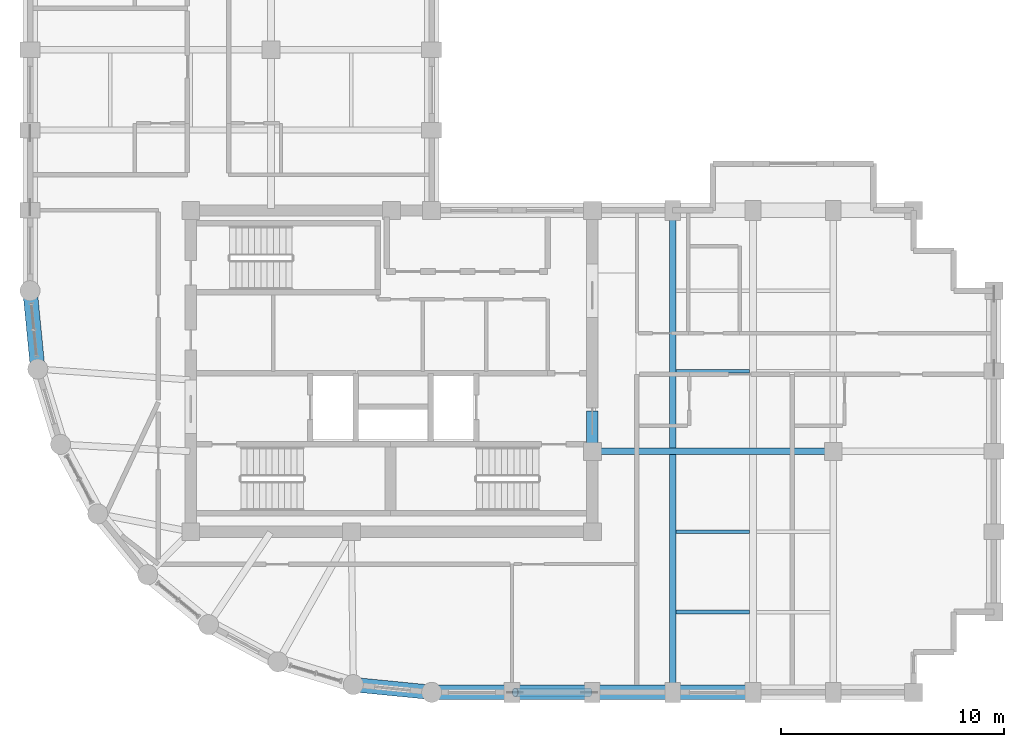
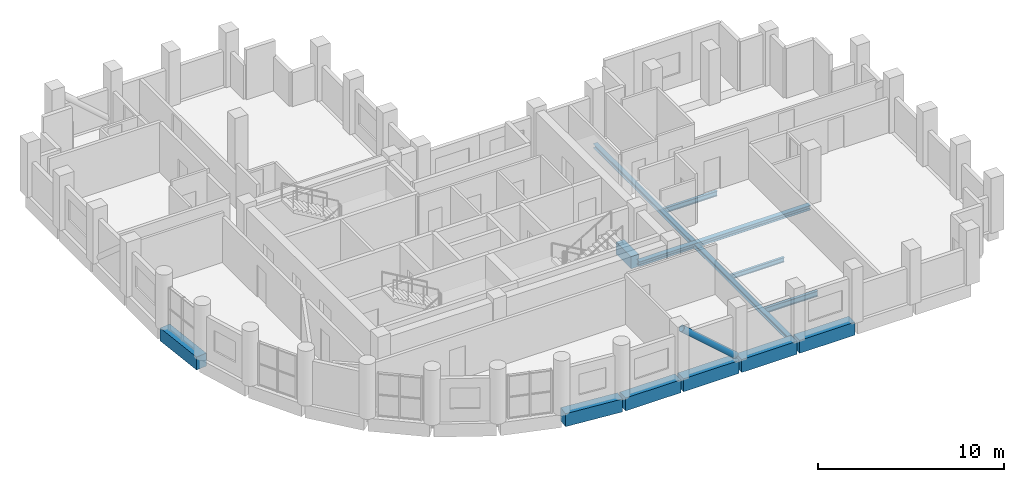
# One storey, part 4 of 11: 12 beams, 1 member.
"""IFC4 building model written with IfcOpenShell, lengths in metres."""

import ifcopenshell
import ifcopenshell.guid

model = None  # the IFC model being written
_history = None  # IfcOwnerHistory: only IFC2X3 demands one
_inside = {}  # id of a spatial element -> (the spatial element, [elements in it])
_under = {}  # id of a project, library or spatial element -> (it, [spatial elements below it])
_declared = {}  # id of a project -> (the project, [libraries it declares])
_typed = {}  # id of a type object -> (the type object, [elements of that type])
_made_of = {}  # id of a material, layer set ... -> (it, [elements and type objects made of it])


def new_model(schema):
    """Start an empty IFC model of exactly this schema.

    Asked for "IFC4X3", IfcOpenShell would pick the latest addendum, in which some entities
    have other attributes; the version numbers below select the first issue.
    IFC2X3 requires an IfcOwnerHistory on every rooted entity: one is made here for all.
    """
    global model, _history
    if schema == "IFC4X3":
        model = ifcopenshell.file(schema_version=(4, 3, 0, 0))
    else:
        model = ifcopenshell.file(schema=schema)
    _inside.clear()
    _under.clear()
    _declared.clear()
    _typed.clear()
    _made_of.clear()
    _history = None
    if model.schema == "IFC2X3":
        org = make("IfcOrganization", Name="unknown")
        user = make(
            "IfcPersonAndOrganization",
            ThePerson=make("IfcPerson", FamilyName="unknown"),
            TheOrganization=org,
        )
        app = make(
            "IfcApplication",
            ApplicationDeveloper=org,
            Version="unknown",
            ApplicationFullName="unknown",
            ApplicationIdentifier="unknown",
        )
        _history = make(
            "IfcOwnerHistory",
            OwningUser=user,
            OwningApplication=app,
            ChangeAction="ADDED",
            CreationDate=0,
        )
    return model


def make(cls, **values):
    """One entity of the class cls with the attributes given. An attribute that is None is left unset."""
    return model.create_entity(
        cls, **{name: value for name, value in values.items() if value is not None}
    )


def rooted(cls, **values):
    """An entity with a GlobalId (a new one), such as an element, a storey or a relation."""
    return make(cls, GlobalId=ifcopenshell.guid.new(), OwnerHistory=_history, **values)


def si_unit(unit_type, name, prefix=None):
    """IfcSIUnit, for example si_unit("LENGTHUNIT", "METRE", prefix="MILLI")."""
    return make("IfcSIUnit", UnitType=unit_type, Prefix=prefix, Name=name)


def assignment(units):
    """IfcUnitAssignment: the units of a project."""
    return None if units is None else make("IfcUnitAssignment", Units=units)


def point(xyz):
    """IfcCartesianPoint."""
    return None if xyz is None else make("IfcCartesianPoint", Coordinates=xyz)


def direction(xyz):
    """IfcDirection."""
    return None if xyz is None else make("IfcDirection", DirectionRatios=xyz)


def frame(location, z_axis=None, x_axis=None):
    """IfcAxis2Placement3D, a coordinate frame: its origin and axes. An axis left out is left unset."""
    return make(
        "IfcAxis2Placement3D",
        Location=point(location),
        Axis=direction(z_axis),
        RefDirection=direction(x_axis),
    )


def frame_2d(location, x_axis=None):
    """IfcAxis2Placement2D, a coordinate frame in the plane: its origin and x axis."""
    return make(
        "IfcAxis2Placement2D", Location=point(location), RefDirection=direction(x_axis)
    )


def origin():
    """The frame at (0, 0, 0) with its axes left unset."""
    return frame((0.0, 0.0, 0.0))


def origin_2d():
    """The frame at (0, 0) in the plane with its x axis left unset."""
    return frame_2d((0.0, 0.0))


def place(relative_to, where):
    """IfcLocalPlacement: puts the frame where relative to a parent placement (None: the world)."""
    return make(
        "IfcLocalPlacement", PlacementRelTo=relative_to, RelativePlacement=where
    )


def context(
    kind, dimensions, precision=None, world=None, true_north=None, identifier=None
):
    """IfcGeometricRepresentationContext, for example the 3D "Model" context."""
    return make(
        "IfcGeometricRepresentationContext",
        ContextIdentifier=identifier,
        ContextType=kind,
        CoordinateSpaceDimension=dimensions,
        Precision=precision,
        WorldCoordinateSystem=world,
        TrueNorth=true_north,
    )


def subcontext(parent, identifier, kind, view, scale=None):
    """IfcGeometricRepresentationSubContext, for example "Body" below "Model"."""
    return make(
        "IfcGeometricRepresentationSubContext",
        ContextIdentifier=identifier,
        ContextType=kind,
        ParentContext=parent,
        TargetScale=scale,
        TargetView=view,
    )


def project(units=None, contexts=None):
    """IfcProject with its units and contexts."""
    return rooted(
        "IfcProject",
        Name="project",
        RepresentationContexts=contexts,
        UnitsInContext=assignment(units),
    )


def spatial(cls, under=None, at=None, **own):
    """A site, building, storey or space (cls), placed at a placement, below another one or the project."""
    s = rooted(cls, ObjectPlacement=at, **own)
    if under is not None:
        _under.setdefault(under.id(), (under, []))[1].append(s)
    return s


def profile(cls, at=None, kind="AREA", **sizes):
    """A parametric profile (cls). Its sizes go by their IFC names, for example OverallWidth=200.0."""
    return make(cls, ProfileType=kind, Position=at, **sizes)


def rectangle(**sizes):
    """IfcRectangleProfileDef."""
    return profile("IfcRectangleProfileDef", **sizes)


def hollow_circle(**sizes):
    """IfcCircleHollowProfileDef."""
    return profile("IfcCircleHollowProfileDef", **sizes)


def i_section(**sizes):
    """IfcIShapeProfileDef."""
    return profile("IfcIShapeProfileDef", **sizes)


def extrude(swept, where, along, depth):
    """IfcExtrudedAreaSolid: the profile swept, set in the frame where, extruded along a direction by depth."""
    return make(
        "IfcExtrudedAreaSolid",
        SweptArea=swept,
        Position=where,
        ExtrudedDirection=direction(along),
        Depth=depth,
    )


def shape(context_of_items, identifier, shape_type, items):
    """IfcShapeRepresentation: the items that make up one representation, for example the "Body"."""
    return make(
        "IfcShapeRepresentation",
        ContextOfItems=context_of_items,
        RepresentationIdentifier=identifier,
        RepresentationType=shape_type,
        Items=items,
    )


def material(Name=None, Category=None):
    """IfcMaterial."""
    return make("IfcMaterial", Name=Name, Category=Category)


def material_profile(
    of_material, cross_section, Name=None, Category=None, Priority=None
):
    """IfcMaterialProfile: a cross section and its material."""
    return make(
        "IfcMaterialProfile",
        Name=Name,
        Material=of_material,
        Profile=cross_section,
        Priority=Priority,
        Category=Category,
    )


def profile_set(profiles, Name=None, composite=None):
    """IfcMaterialProfileSet."""
    return make(
        "IfcMaterialProfileSet",
        Name=Name,
        MaterialProfiles=profiles,
        CompositeProfile=composite,
    )


def made_of(thing, what):
    """Note that an element or type object is made of a material, layer set ...; save() writes the relation."""
    if what is not None:
        _made_of.setdefault(what.id(), (what, []))[1].append(thing)
    return thing


def type_object(cls, material=None, **own):
    """A type object (cls), such as IfcWallType, which elements share."""
    return made_of(rooted(cls, **own), material)


def element(
    cls,
    number,
    at=None,
    inside=None,
    cuts=None,
    type_object=None,
    material=None,
    context=None,
    identifier="Body",
    shape_type=None,
    held_by="IfcProductDefinitionShape",
    body=None,
    shapes=None,
    **own,
):
    """One element of the class cls, such as IfcWall. Its Tag is "e" and its number.

    at: its placement. inside: the storey or other place that contains it. cuts: it is an
    opening in that element (IfcRelVoidsElement). A single representation is given by context,
    identifier, shape_type and body (its items); several are given by shapes. held_by: the class
    of the entity that holds the representations. save() writes the other relations.
    """
    e = rooted(cls, Tag="e%d" % number, ObjectPlacement=at, **own)
    if body is not None:
        shapes = [shape(context, identifier, shape_type, body)]
    if shapes is not None:
        e.Representation = make(held_by, Representations=shapes)
    if inside is not None:
        _inside.setdefault(inside.id(), (inside, []))[1].append(e)
    if cuts is not None:
        rooted(
            "IfcRelVoidsElement", RelatingBuildingElement=cuts, RelatedOpeningElement=e
        )
    if type_object is not None:
        _typed.setdefault(type_object.id(), (type_object, []))[1].append(e)
    return made_of(e, material)


def aggregate(whole, parts):
    """IfcRelAggregates: a whole, such as a stair, and the parts it consists of."""
    return rooted("IfcRelAggregates", RelatingObject=whole, RelatedObjects=parts)


def save(model, path):
    """Write the relations noted so far, then the file.

    IfcRelAggregates (storeys below a building ...), IfcRelContainedInSpatialStructure (elements
    in a storey), IfcRelDefinesByType, IfcRelAssociatesMaterial and IfcRelDeclares: one each for
    every whole, place, type object, material and project.
    """
    for whole, parts in _under.values():
        aggregate(whole, parts)
    for where, things in _inside.values():
        rooted(
            "IfcRelContainedInSpatialStructure",
            RelatedElements=things,
            RelatingStructure=where,
        )
    for kind, things in _typed.values():
        rooted("IfcRelDefinesByType", RelatedObjects=things, RelatingType=kind)
    for what, things in _made_of.values():
        rooted("IfcRelAssociatesMaterial", RelatedObjects=things, RelatingMaterial=what)
    for by, libraries in _declared.values():
        rooted("IfcRelDeclares", RelatingContext=by, RelatedDefinitions=libraries)
    model.write(path)


model = new_model("IFC4")

# Units and contexts
model_context = context("Model", 3, precision=1e-05, world=origin(), true_north=direction((0.0, 1.0)))
body_context = subcontext(model_context, "Body", "Model", "MODEL_VIEW")
ifc_project = project(units=[si_unit("LENGTHUNIT", "METRE"), si_unit("AREAUNIT", "SQUARE_METRE"), si_unit("VOLUMEUNIT", "CUBIC_METRE"), si_unit("PLANEANGLEUNIT", "RADIAN"), si_unit("MASSUNIT", "GRAM", prefix="KILO")], contexts=[model_context])

# Site, building, storey
site_placement = place(None, origin())
site = spatial("IfcSite", under=ifc_project, at=site_placement, CompositionType="ELEMENT")
building_placement = place(site_placement, origin())
building = spatial("IfcBuilding", under=site, at=building_placement, Name="Solnavia Interchange Tower", CompositionType="ELEMENT")
storey_placement = place(building_placement, frame((0.0, 0.0, 217.39990234375)))
storey = spatial("IfcBuildingStorey", under=building, at=storey_placement, Name="L54", CompositionType="ELEMENT", Elevation=217.39990234375)

# Beams
ifc_material_1 = material(Name="Concrete C50/60", Category="concrete")
ifc_material_profile_1 = material_profile(ifc_material_1, rectangle(XDim=0.5, YDim=0.800048828125, at=origin_2d()), Name="RC 500x800")
ifc_profile_set_1 = profile_set([ifc_material_profile_1], Name="Concrete C50/60")
beam_type_1 = type_object("IfcBeamType", Name="Beam-Coupling-RC500x800", PredefinedType="LINTEL", material=ifc_profile_set_1)
beam_1_placement = place(storey_placement, frame((32.39990234375, 14.60009765625, -0.39990234375), z_axis=(0.0, 1.0, 0.0), x_axis=(-1.0, 0.0, 0.0)))
element("IfcBeam", 1, at=beam_1_placement, inside=storey, type_object=beam_type_1, Name="CPB-L54-E1 Core coupling lintel beam", PredefinedType="LINTEL", context=body_context, shape_type="SweptSolid", body=[
    extrude(rectangle(XDim=0.5, YDim=0.800048828125, at=origin_2d()), origin(), (0.0, 0.0, 1.0), 1.599853515625),
])
ifc_material_2 = material(Name="Steel S460", Category="steel")
ifc_material_profile_2 = material_profile(ifc_material_2, i_section(OverallWidth=0.300048828125, OverallDepth=0.300048828125, WebThickness=0.010986328125, FlangeThickness=0.01904296875, FilletRadius=0.027099609375, at=origin_2d()), Name="HEB 300")
ifc_profile_set_2 = profile_set([ifc_material_profile_2], Name="Steel S460")
beam_type_2 = type_object("IfcBeamType", Name="Beam-Girder-HEB300", PredefinedType="BEAM", material=ifc_profile_set_2)
beam_2_placement = place(storey_placement, frame((32.47998046875, 14.39990234375, -0.39990234375), z_axis=(1.0, 0.0, 0.0), x_axis=(0.0, 1.0, 0.0)))
element("IfcBeam", 2, at=beam_2_placement, inside=storey, type_object=beam_type_2, Name="GRD-L54-ES01 East wing spine girder", PredefinedType="BEAM", context=body_context, shape_type="SweptSolid", body=[
    extrude(i_section(OverallWidth=0.300048828125, OverallDepth=0.300048828125, WebThickness=0.010986328125, FlangeThickness=0.01904296875, FilletRadius=0.027099609375, at=origin_2d()), origin(), (0.0, 0.0, 1.0), 10.64013671875),
])
ifc_material_3 = material(Name="Steel S355", Category="steel")
ifc_material_profile_3 = material_profile(ifc_material_3, i_section(OverallWidth=0.14990234375, OverallDepth=0.300048828125, WebThickness=0.007080078125, FlangeThickness=0.0107421875, FilletRadius=0.014892578125, at=origin_2d()), Name="IPE 300")
ifc_profile_set_3 = profile_set([ifc_material_profile_3], Name="Steel S355")
beam_type_3 = type_object("IfcBeamType", Name="Beam-Joist-IPE300", PredefinedType="JOIST", material=ifc_profile_set_3)
beam_3_placement = place(storey_placement, frame((36.139892578125, 10.800048828125, -0.39990234375), z_axis=(1.0, 0.0, 0.0), x_axis=(0.0, 1.0, 0.0)))
element("IfcBeam", 3, at=beam_3_placement, inside=storey, type_object=beam_type_3, Name="JST-L54-E03 East wing secondary joist", PredefinedType="JOIST", context=body_context, shape_type="SweptSolid", body=[
    extrude(i_section(OverallWidth=0.14990234375, OverallDepth=0.300048828125, WebThickness=0.007080078125, FlangeThickness=0.0107421875, FilletRadius=0.014892578125, at=origin_2d()), origin(), (0.0, 0.0, 1.0), 3.31005859375),
])
ifc_material_profile_4 = material_profile(ifc_material_3, i_section(OverallWidth=0.159912109375, OverallDepth=0.330078125, WebThickness=0.007568359375, FlangeThickness=0.011474609375, FilletRadius=0.01806640625, at=origin_2d()), Name="IPE 330")
ifc_profile_set_4 = profile_set([ifc_material_profile_4], Name="Steel S355")
beam_type_4 = type_object("IfcBeamType", Name="Beam-Joist-IPE330", PredefinedType="JOIST", material=ifc_profile_set_4)
beam_4_placement = place(storey_placement, frame((36.139892578125, 18.0, -0.414794921875), z_axis=(1.0, 0.0, 0.0), x_axis=(0.0, 1.0, 0.0)))
element("IfcBeam", 4, at=beam_4_placement, inside=storey, type_object=beam_type_4, Name="JST-L54-E05 East wing secondary joist", PredefinedType="JOIST", context=body_context, shape_type="SweptSolid", body=[
    extrude(i_section(OverallWidth=0.159912109375, OverallDepth=0.330078125, WebThickness=0.007568359375, FlangeThickness=0.011474609375, FilletRadius=0.01806640625, at=origin_2d()), origin(), (0.0, 0.0, 1.0), 3.31005859375),
])
ifc_material_profile_5 = material_profile(ifc_material_3, i_section(OverallWidth=0.169921875, OverallDepth=0.360107421875, WebThickness=0.008056640625, FlangeThickness=0.0126953125, FilletRadius=0.01806640625, at=origin_2d()), Name="IPE 360")
ifc_profile_set_5 = profile_set([ifc_material_profile_5], Name="Steel S355")
beam_type_5 = type_object("IfcBeamType", Name="Beam-Joist-IPE360", PredefinedType="JOIST", material=ifc_profile_set_5)
beam_5_placement = place(storey_placement, frame((36.139892578125, 7.199951171875, -0.429931640625), z_axis=(1.0, 0.0, 0.0), x_axis=(0.0, 1.0, 0.0)))
element("IfcBeam", 5, at=beam_5_placement, inside=storey, type_object=beam_type_5, Name="JST-L54-E01 East wing secondary joist", PredefinedType="JOIST", context=body_context, shape_type="SweptSolid", body=[
    extrude(i_section(OverallWidth=0.169921875, OverallDepth=0.360107421875, WebThickness=0.008056640625, FlangeThickness=0.0126953125, FilletRadius=0.01806640625, at=origin_2d()), origin(), (0.0, 0.0, 1.0), 3.31005859375),
])
ifc_material_profile_6 = material_profile(ifc_material_3, i_section(OverallWidth=0.280029296875, OverallDepth=0.27001953125, WebThickness=0.008056640625, FlangeThickness=0.012939453125, FilletRadius=0.02392578125, at=origin_2d()), Name="HEA 280")
ifc_profile_set_6 = profile_set([ifc_material_profile_6], Name="Steel S355")
beam_type_6 = type_object("IfcBeamType", Name="Beam-Primary-HEA280", PredefinedType="BEAM", material=ifc_profile_set_6)
beam_6_placement = place(storey_placement, frame((36.0, 3.679931640625, -0.385009765625), z_axis=(0.0, 1.0, 0.0), x_axis=(-1.0, 0.0, 0.0)))
element("IfcBeam", 6, at=beam_6_placement, inside=storey, type_object=beam_type_6, Name="GRD-L54-EW03 East wing primary floor girder", PredefinedType="BEAM", context=body_context, shape_type="SweptSolid", body=[
    extrude(i_section(OverallWidth=0.280029296875, OverallDepth=0.27001953125, WebThickness=0.008056640625, FlangeThickness=0.012939453125, FilletRadius=0.02392578125, at=origin_2d()), origin(), (0.0, 0.0, 1.0), 21.440185546875),
])
ifc_material_profile_7 = material_profile(ifc_material_1, rectangle(XDim=0.64990234375, YDim=0.85009765625, at=origin_2d()), Name="RC 650x850")
ifc_profile_set_7 = profile_set([ifc_material_profile_7], Name="Concrete C50/60")
beam_type_7 = type_object("IfcBeamType", Name="Beam-Spandrel-RC650x850", PredefinedType="SPANDREL", material=ifc_profile_set_7)
beam_7_placement = place(storey_placement, frame((7.207763671875, 21.5205078125, -0.4248046875), z_axis=(0.098040038117, -0.995182471171, 0.0), x_axis=(0.995182471171, 0.098040038117, 0.0)))
element("IfcBeam", 7, at=beam_7_placement, inside=storey, type_object=beam_type_7, Name="SPB-L54-01 Framed-tube perimeter spandrel beam", PredefinedType="SPANDREL", context=body_context, shape_type="SweptSolid", body=[
    extrude(rectangle(XDim=0.64990234375, YDim=0.85009765625, at=origin_2d()), origin(), (0.0, 0.0, 1.0), 3.369140625),
])
beam_8_placement = place(storey_placement, frame((21.767578125, 3.938232421875, -0.4248046875), z_axis=(0.995181774609, -0.098047108501, 0.0), x_axis=(0.098047108501, 0.995181774609, 0.0)))
element("IfcBeam", 8, at=beam_8_placement, inside=storey, type_object=beam_type_7, Name="SPB-L54-08 Framed-tube perimeter spandrel beam", PredefinedType="SPANDREL", context=body_context, shape_type="SweptSolid", body=[
    extrude(rectangle(XDim=0.64990234375, YDim=0.85009765625, at=origin_2d()), origin(), (0.0, 0.0, 1.0), 3.368896484375),
])
beam_9_placement = place(storey_placement, frame((25.280029296875, 3.60009765625, -0.4248046875), z_axis=(1.0, 0.0, 0.0), x_axis=(0.0, 1.0, 0.0)))
element("IfcBeam", 9, at=beam_9_placement, inside=storey, type_object=beam_type_7, Name="SPB-L54-09 Framed-tube perimeter spandrel beam", PredefinedType="SPANDREL", context=body_context, shape_type="SweptSolid", body=[
    extrude(rectangle(XDim=0.64990234375, YDim=0.85009765625, at=origin_2d()), origin(), (0.0, 0.0, 1.0), 3.43994140625),
])
beam_10_placement = place(storey_placement, frame((28.8798828125, 3.60009765625, -0.4248046875), z_axis=(1.0, 0.0, 0.0), x_axis=(0.0, 1.0, 0.0)))
element("IfcBeam", 10, at=beam_10_placement, inside=storey, type_object=beam_type_7, Name="SPB-L54-10 Framed-tube perimeter spandrel beam", PredefinedType="SPANDREL", context=body_context, shape_type="SweptSolid", body=[
    extrude(rectangle(XDim=0.64990234375, YDim=0.85009765625, at=origin_2d()), origin(), (0.0, 0.0, 1.0), 3.440185546875),
])
for number, where, z_axis, x_axis, name in (
    (11, (32.47998046875, 3.60009765625, -0.4248046875), (1.0, 0.0, 0.0), (0.0, 1.0, 0.0), "SPB-L54-11 Framed-tube perimeter spandrel beam"),
    (12, (36.080078125, 3.60009765625, -0.4248046875), (1.0, 0.0, 0.0), (0.0, 1.0, 0.0), "SPB-L54-12 Framed-tube perimeter spandrel beam"),
):
    element("IfcBeam", number, at=place(storey_placement, frame(where, z_axis=z_axis, x_axis=x_axis)), inside=storey, type_object=beam_type_7, Name=name, PredefinedType="SPANDREL", context=body_context, shape_type="SweptSolid", body=[
        extrude(rectangle(XDim=0.64990234375, YDim=0.85009765625, at=origin_2d()), origin(), (0.0, 0.0, 1.0), 3.43994140625),
    ])

# Member
ifc_material_profile_8 = material_profile(ifc_material_2, hollow_circle(Radius=0.203125, WallThickness=0.02001953125, at=origin_2d()), Name="CHS 406.4x20")
ifc_profile_set_8 = profile_set([ifc_material_profile_8], Name="Steel S460")
member_type = type_object("IfcMemberType", Name="Brace-Perim-CHS406", PredefinedType="BRACE", material=ifc_profile_set_8)
member_placement = place(storey_placement, frame((32.260009765625, 3.60009765625, 0.18017578125), z_axis=(-0.750908464718, 0.0, 0.660406297377), x_axis=(0.0, -1.0, 0.0)))
element("IfcMember", 13, at=member_placement, inside=storey, type_object=member_type, Name="BRC-L54-01 Perimeter tube diagonal brace", PredefinedType="BRACE", context=body_context, shape_type="SweptSolid", body=[
    extrude(hollow_circle(Radius=0.203125, WallThickness=0.02001953125, at=origin_2d()), origin(), (0.0, 0.0, 1.0), 4.42138671875),
])

save(model, "model.ifc")
